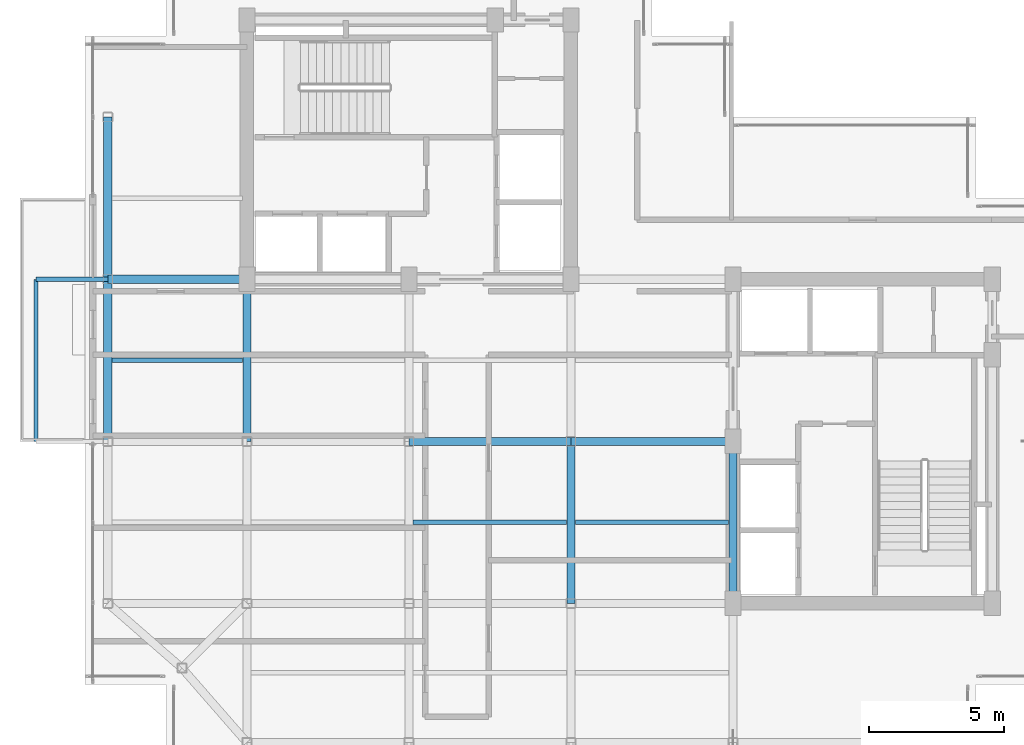
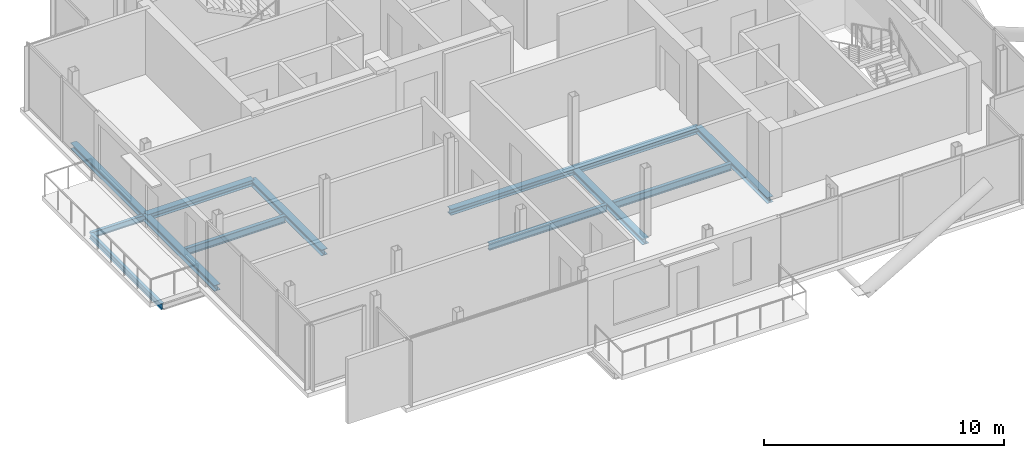
# One storey, part 6 of 18: 13 beams.
"""IFC4 building model written with IfcOpenShell, lengths in metres."""

from ifc_helpers import new_model, si_unit, direction, frame, origin, origin_2d, place, context, subcontext, project, spatial, i_section, extrude, material, material_profile, profile_set, type_object, element, save


model = new_model("IFC4")

# Units and contexts
model_context = context("Model", 3, precision=1e-05, world=origin(), true_north=direction((0.0, 1.0)))
body_context = subcontext(model_context, "Body", "Model", "MODEL_VIEW")
ifc_project = project(units=[si_unit("LENGTHUNIT", "METRE"), si_unit("AREAUNIT", "SQUARE_METRE"), si_unit("VOLUMEUNIT", "CUBIC_METRE"), si_unit("PLANEANGLEUNIT", "RADIAN"), si_unit("MASSUNIT", "GRAM", prefix="KILO"), si_unit("THERMODYNAMICTEMPERATUREUNIT", "KELVIN"), si_unit("POWERUNIT", "WATT")], contexts=[model_context])

# Site, building, storey
site_placement = place(None, origin())
site = spatial("IfcSite", under=ifc_project, at=site_placement, CompositionType="ELEMENT")
building_placement = place(site_placement, origin())
building = spatial("IfcBuilding", under=site, at=building_placement, Name="Svarakhadi Broadcast Tower", CompositionType="ELEMENT")
storey_placement = place(building_placement, frame((0.0, 0.0, 281.699951171875)))
storey = spatial("IfcBuildingStorey", under=building, at=storey_placement, Name="L71", CompositionType="ELEMENT", Elevation=281.699951171875)

# Beams
ifc_material = material(Name="Steel S355J2 (IS 2062 E350C)", Category="steel")
ifc_material_profile_1 = material_profile(ifc_material, i_section(OverallWidth=0.169921875, OverallDepth=0.360107421875, WebThickness=0.008056640625, FlangeThickness=0.0126953125, FilletRadius=0.01806640625, at=origin_2d()), Name="NPB 360x170x57")
ifc_profile_set_1 = profile_set([ifc_material_profile_1], Name="Steel S355J2 (IS 2062 E350C)")
beam_type_1 = type_object("IfcBeamType", Name="Beam_NPB360", PredefinedType="BEAM", material=ifc_profile_set_1)
beam_1_placement = place(storey_placement, frame((1.010009765625, 15.0, -0.3798828125), z_axis=(1.0, 0.0, 0.0), x_axis=(0.0, 1.0, 0.0)))
element("IfcBeam", 1, at=beam_1_placement, inside=storey, type_object=beam_type_1, Name="L71 Secondary Composite Beam SB002", PredefinedType="BEAM", context=body_context, shape_type="SweptSolid", body=[
    extrude(i_section(OverallWidth=0.169921875, OverallDepth=0.360107421875, WebThickness=0.008056640625, FlangeThickness=0.0126953125, FilletRadius=0.01806640625, at=origin_2d()), origin(), (0.0, 0.0, 1.0), 4.830078125),
])
for number, where, z_axis, x_axis, name in (
    (2, (12.159912109375, 9.0, -0.3798828125), (1.0, 0.0, 0.0), (0.0, 1.0, 0.0), "L71 Secondary Composite Beam SB008"),
    (3, (18.159912109375, 9.0, -0.3798828125), (1.0, 0.0, 0.0), (0.0, 1.0, 0.0), "L71 Secondary Composite Beam SB011"),
):
    element("IfcBeam", number, at=place(storey_placement, frame(where, z_axis=z_axis, x_axis=x_axis)), inside=storey, type_object=beam_type_1, Name=name, PredefinedType="BEAM", context=body_context, shape_type="SweptSolid", body=[
        extrude(i_section(OverallWidth=0.169921875, OverallDepth=0.360107421875, WebThickness=0.008056640625, FlangeThickness=0.0126953125, FilletRadius=0.01806640625, at=origin_2d()), origin(), (0.0, 0.0, 1.0), 5.68017578125),
    ])
ifc_material_profile_2 = material_profile(ifc_material, i_section(OverallWidth=0.300048828125, OverallDepth=0.300048828125, WebThickness=0.010986328125, FlangeThickness=0.01904296875, FilletRadius=0.027099609375, at=origin_2d()), Name="WPB 300x300x117")
ifc_profile_set_2 = profile_set([ifc_material_profile_2], Name="Steel S355J2 (IS 2062 E350C)")
beam_type_2 = type_object("IfcBeamType", Name="Girder_WPB300", PredefinedType="USERDEFINED", material=ifc_profile_set_2)
for number, where, z_axis, x_axis, name in (
    (4, (12.0, 12.0, -0.349853515625), (1.0, 0.0, 0.0), (0.0, 1.0, 0.0), "L71 Primary E-W Girder G015"),
    (5, (18.0, 12.0, -0.349853515625), (1.0, 0.0, 0.0), (0.0, 1.0, 0.0), "L71 Primary E-W Girder G016"),
):
    element("IfcBeam", number, at=place(storey_placement, frame(where, z_axis=z_axis, x_axis=x_axis)), inside=storey, type_object=beam_type_2, Name=name, ObjectType="GIRDER", PredefinedType="USERDEFINED", context=body_context, shape_type="SweptSolid", body=[
        extrude(i_section(OverallWidth=0.300048828125, OverallDepth=0.300048828125, WebThickness=0.010986328125, FlangeThickness=0.01904296875, FilletRadius=0.027099609375, at=origin_2d()), origin(), (0.0, 0.0, 1.0), 6.0),
    ])
beam_2_placement = place(storey_placement, frame((0.85009765625, 18.0, -0.349853515625), z_axis=(1.0, 0.0, 0.0), x_axis=(0.0, 1.0, 0.0)))
element("IfcBeam", 6, at=beam_2_placement, inside=storey, type_object=beam_type_2, Name="L71 Primary E-W Girder G017", ObjectType="GIRDER", PredefinedType="USERDEFINED", context=body_context, shape_type="SweptSolid", body=[
    extrude(i_section(OverallWidth=0.300048828125, OverallDepth=0.300048828125, WebThickness=0.010986328125, FlangeThickness=0.01904296875, FilletRadius=0.027099609375, at=origin_2d()), origin(), (0.0, 0.0, 1.0), 5.14990234375),
])
for number, where, z_axis, x_axis, name in (
    (7, (0.85009765625, 12.0, -0.349853515625), (0.0, 1.0, 0.0), (-1.0, 0.0, 0.0), "L71 Primary N-S Girder G027"),
    (8, (0.85009765625, 18.0, -0.349853515625), (0.0, 1.0, 0.0), (-1.0, 0.0, 0.0), "L71 Primary N-S Girder G028"),
    (9, (6.0, 12.0, -0.349853515625), (0.0, 1.0, 0.0), (-1.0, 0.0, 0.0), "L71 Primary N-S Girder G031"),
    (10, (18.0, 6.0, -0.349853515625), (0.0, 1.0, 0.0), (-1.0, 0.0, 0.0), "L71 Primary N-S Girder G037"),
    (11, (24.0, 6.0, -0.349853515625), (0.0, 1.0, 0.0), (-1.0, 0.0, 0.0), "L71 Primary N-S Girder G041"),
):
    element("IfcBeam", number, at=place(storey_placement, frame(where, z_axis=z_axis, x_axis=x_axis)), inside=storey, type_object=beam_type_2, Name=name, ObjectType="GIRDER", PredefinedType="USERDEFINED", context=body_context, shape_type="SweptSolid", body=[
        extrude(i_section(OverallWidth=0.300048828125, OverallDepth=0.300048828125, WebThickness=0.010986328125, FlangeThickness=0.01904296875, FilletRadius=0.027099609375, at=origin_2d()), origin(), (0.0, 0.0, 1.0), 6.0),
    ])
ifc_material_profile_3 = material_profile(ifc_material, i_section(OverallWidth=0.14990234375, OverallDepth=0.300048828125, WebThickness=0.007080078125, FlangeThickness=0.0107421875, FilletRadius=0.014892578125, at=origin_2d()), Name="NPB 300x150x37")
ifc_profile_set_3 = profile_set([ifc_material_profile_3], Name="Steel S355J2 (IS 2062 E350C)")
beam_type_3 = type_object("IfcBeamType", Name="Spandrel_NPB300", PredefinedType="SPANDREL", material=ifc_profile_set_3)
beam_3_placement = place(storey_placement, frame((0.85009765625, 18.0, -0.375), z_axis=(-1.0, 0.0, 0.0), x_axis=(0.0, -1.0, 0.0)))
element("IfcBeam", 12, at=beam_3_placement, inside=storey, type_object=beam_type_3, Name="L71 Balcony Cantilever Bracket 2B", PredefinedType="SPANDREL", context=body_context, shape_type="SweptSolid", body=[
    extrude(i_section(OverallWidth=0.14990234375, OverallDepth=0.300048828125, WebThickness=0.007080078125, FlangeThickness=0.0107421875, FilletRadius=0.014892578125, at=origin_2d()), origin(), (0.0, 0.0, 1.0), 2.650146484375),
])
beam_4_placement = place(storey_placement, frame((-1.800048828125, 12.0, -0.375), z_axis=(0.0, 1.0, 0.0), x_axis=(-1.0, 0.0, 0.0)))
element("IfcBeam", 13, at=beam_4_placement, inside=storey, type_object=beam_type_3, Name="L71 Balcony Outer Spandrel 2F", PredefinedType="SPANDREL", context=body_context, shape_type="SweptSolid", body=[
    extrude(i_section(OverallWidth=0.14990234375, OverallDepth=0.300048828125, WebThickness=0.007080078125, FlangeThickness=0.0107421875, FilletRadius=0.014892578125, at=origin_2d()), origin(), (0.0, 0.0, 1.0), 6.0),
])

save(model, "model.ifc")
